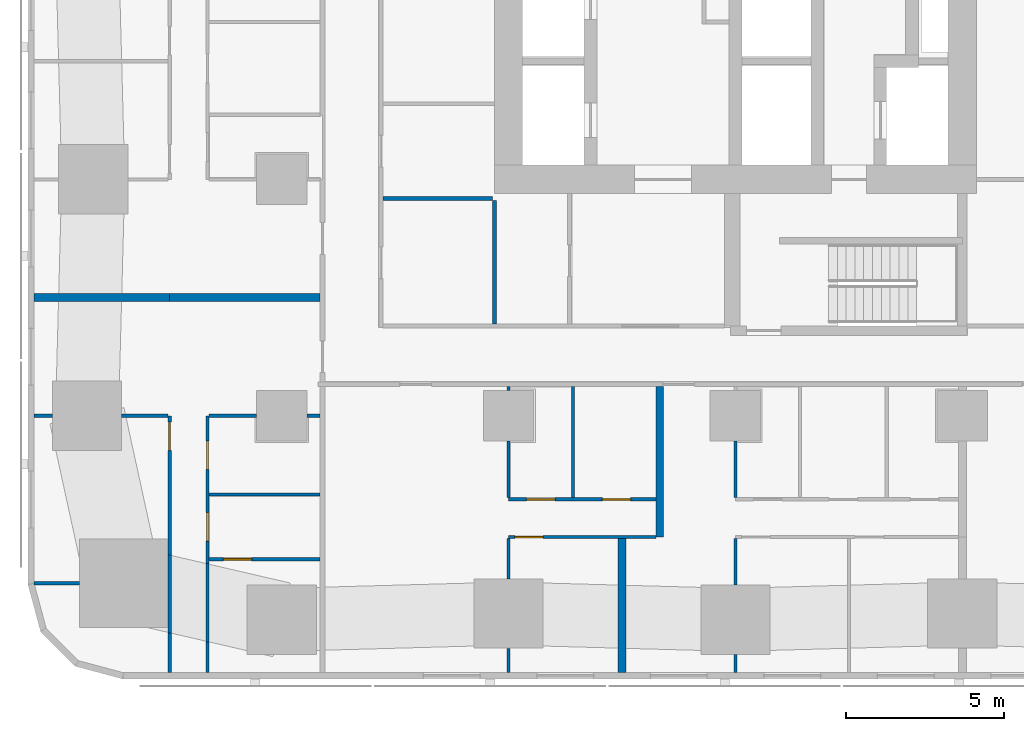
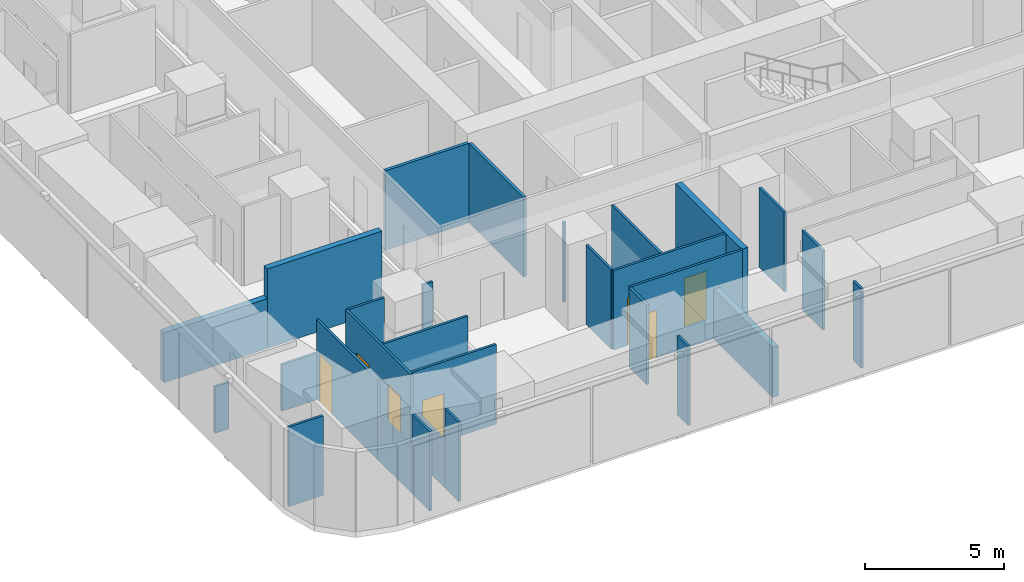
# One storey, part 2 of 17: 29 walls, 7 doors, 7 openings.
"""IFC4 building model written with IfcOpenShell, lengths in metres."""

from ifc_helpers import new_model, si_unit, direction, frame, frame_2d, origin, place, context, subcontext, project, spatial, rectangle, extrude, material, layer, layer_set, type_object, element, fill, save


model = new_model("IFC4")

# Units and contexts
model_context = context("Model", 3, precision=1e-05, world=origin(), true_north=direction((0.0, 1.0)))
body_context = subcontext(model_context, "Body", "Model", "MODEL_VIEW")
ifc_project = project(units=[si_unit("LENGTHUNIT", "METRE"), si_unit("AREAUNIT", "SQUARE_METRE"), si_unit("VOLUMEUNIT", "CUBIC_METRE"), si_unit("PLANEANGLEUNIT", "RADIAN"), si_unit("MASSUNIT", "GRAM", prefix="KILO")], contexts=[model_context])

# Site, building, storey
site_placement = place(None, origin())
site = spatial("IfcSite", under=ifc_project, at=site_placement, CompositionType="ELEMENT")
building_placement = place(site_placement, origin())
building = spatial("IfcBuilding", under=site, at=building_placement, Name="Sheger Commons Tower", CompositionType="ELEMENT")
storey_placement = place(building_placement, frame((0.0, 0.0, 115.39990234375)))
storey = spatial("IfcBuildingStorey", under=building, at=storey_placement, Name="L29", CompositionType="ELEMENT", Elevation=115.39990234375)

# Walls
ifc_material_1 = material(Name="Dense concrete block masonry, plastered both sides (separating wall between flats)", Category="masonry")
ifc_layer_1 = layer(ifc_material_1, 0.25)
ifc_layer_set_1 = layer_set([ifc_layer_1], Name="DEMISING WALL 250")
wall_type_1 = type_object("IfcWallType", Name="DEMISING WALL 250", PredefinedType="SOLIDWALL", material=ifc_layer_set_1)
wall_1_placement = place(storey_placement, frame((-0.64990234375, 11.25, 0.0), z_axis=(0.0, 0.0, 1.0), x_axis=(1.0, 0.0, 0.0)))
element("IfcWall", 1, at=wall_1_placement, inside=storey, type_object=wall_type_1, Name="Demising wall L29", PredefinedType="SOLIDWALL", context=body_context, shape_type="SweptSolid", body=[
    extrude(rectangle(XDim=4.2998046875, YDim=0.25, at=frame_2d((2.14990234375, 0.0))), origin(), (0.0, 0.0, 1.0), 2.2001953125),
])
wall_2_placement = place(storey_placement, frame((3.64990234375, 11.25, 0.0), z_axis=(0.0, 0.0, 1.0), x_axis=(1.0, 0.0, 0.0)))
element("IfcWall", 2, at=wall_2_placement, inside=storey, type_object=wall_type_1, Name="Demising wall L29", PredefinedType="SOLIDWALL", context=body_context, shape_type="SweptSolid", body=[
    extrude(rectangle(XDim=4.775146484375, YDim=0.25, at=frame_2d((2.3876953125, 0.0))), origin(), (0.0, 0.0, 1.0), 3.5),
])
wall_3_placement = place(storey_placement, frame((18.0, -0.64990234375, 0.0), z_axis=(0.0, 0.0, 1.0), x_axis=(0.0, 1.0, 0.0)))
element("IfcWall", 3, at=wall_3_placement, inside=storey, type_object=wall_type_1, Name="Demising wall L29", PredefinedType="SOLIDWALL", context=body_context, shape_type="SweptSolid", body=[
    extrude(rectangle(XDim=4.25, YDim=0.25, at=frame_2d((2.125, 0.0))), origin(), (0.0, 0.0, 1.0), 2.2001953125),
])
wall_4_placement = place(storey_placement, frame((19.198974609375, 3.64990234375, 0.0), z_axis=(0.0, 0.0, 1.0), x_axis=(0.0, 1.0, 0.0)))
element("IfcWall", 4, at=wall_4_placement, inside=storey, type_object=wall_type_1, Name="Demising wall L29", PredefinedType="SOLIDWALL", context=body_context, shape_type="SweptSolid", body=[
    extrude(rectangle(XDim=4.775146484375, YDim=0.25, at=frame_2d((2.3876953125, 0.0))), origin(), (0.0, 0.0, 1.0), 3.5),
])
ifc_material_2 = material(Name="Gypsum board on steel studs", Category="steel")
ifc_layer_2 = layer(ifc_material_2, 0.10009765625)
ifc_layer_set_2 = layer_set([ifc_layer_2], Name="PARTITION 100")
wall_type_2 = type_object("IfcWallType", Name="PARTITION 100", PredefinedType="PARTITIONING", material=ifc_layer_set_2)
wall_5_placement = place(storey_placement, frame((3.64990234375, -0.64990234375, 0.0), z_axis=(0.0, 0.0, 1.0), x_axis=(0.0, 1.0, 0.0)))
element("IfcWall", 5, at=wall_5_placement, inside=storey, type_object=wall_type_2, Name="Partition L29", PredefinedType="PARTITIONING", context=body_context, shape_type="SweptSolid", body=[
    extrude(rectangle(XDim=1.25390625, YDim=0.10009765625, at=frame_2d((0.626953125, 0.0))), origin(), (0.0, 0.0, 1.0), 3.5),
])
wall_6_placement = place(storey_placement, frame((3.64990234375, 0.60400390625, 0.0), z_axis=(0.0, 0.0, 1.0), x_axis=(0.0, 1.0, 0.0)))
element("IfcWall", 6, at=wall_6_placement, inside=storey, type_object=wall_type_2, Name="Partition L29", PredefinedType="PARTITIONING", context=body_context, shape_type="SweptSolid", body=[
    extrude(rectangle(XDim=2.486083984375, YDim=0.10009765625, at=frame_2d((1.2431640625, 0.0))), origin(), (0.0, 0.0, 1.0), 2.050048828125),
])

# Wall, opening, door
wall_7_placement = place(storey_placement, frame((3.64990234375, 3.090087890625, 0.0), z_axis=(0.0, 0.0, 1.0), x_axis=(0.0, 1.0, 0.0)))
wall_7 = element("IfcWall", 7, at=wall_7_placement, inside=storey, type_object=wall_type_2, Name="Partition L29", PredefinedType="PARTITIONING", context=body_context, shape_type="SweptSolid", body=[
    extrude(rectangle(XDim=4.409912109375, YDim=0.10009765625, at=frame_2d((2.205078125, 0.0))), origin(), (0.0, 0.0, 1.0), 3.5),
])
opening_1_placement = place(wall_7_placement, frame((3.31005859375, 0.0, 0.0)))
opening_1 = element("IfcOpeningElement", 8, at=opening_1_placement, cuts=wall_7, Name="Opening D2", PredefinedType="OPENING", context=body_context, shape_type="SweptSolid", body=[
    extrude(rectangle(XDim=0.89990234375, YDim=2.10009765625, at=frame_2d((0.449951171875, 1.050048828125))), frame((0.0, 0.06005859375, 0.0), z_axis=(0.0, -1.0, 0.0), x_axis=(1.0, 0.0, 0.0)), (0.0, 0.0, 1.0), 0.1201171875),
])
ifc_material_3 = material(Name="Timber door set", Category="wood")
door_type = type_object("IfcDoorType", Name="INTERNAL DOOR 900x2100", OperationType="NOTDEFINED", PredefinedType="DOOR", material=ifc_material_3)
door_1_placement = place(opening_1_placement, origin())
door_1 = element("IfcDoor", 9, at=door_1_placement, inside=storey, type_object=door_type, Name="Main bedroom door", OperationType="SINGLE_SWING_RIGHT", OverallHeight=2.10009765625, OverallWidth=0.89990234375, PredefinedType="DOOR", context=body_context, shape_type="SweptSolid", body=[
    extrude(rectangle(XDim=0.89990234375, YDim=2.10009765625, at=frame_2d((0.449951171875, 1.050048828125))), frame((0.0, 0.02490234375, 0.0), z_axis=(0.0, -1.0, 0.0), x_axis=(1.0, 0.0, 0.0)), (0.0, 0.0, 1.0), 0.050048828125),
])
fill(opening_1, door_1)

# Walls
wall_8_placement = place(storey_placement, frame((4.85009765625, -0.64990234375, 0.0), z_axis=(0.0, 0.0, 1.0), x_axis=(0.0, 1.0, 0.0)))
element("IfcWall", 10, at=wall_8_placement, inside=storey, type_object=wall_type_2, Name="Partition L29", PredefinedType="PARTITIONING", context=body_context, shape_type="SweptSolid", body=[
    extrude(rectangle(XDim=0.975830078125, YDim=0.10009765625, at=frame_2d((0.48779296875, 0.0))), origin(), (0.0, 0.0, 1.0), 3.5),
])
wall_9_placement = place(storey_placement, frame((4.85009765625, 0.325927734375, 0.0), z_axis=(0.0, 0.0, 1.0), x_axis=(0.0, 1.0, 0.0)))
element("IfcWall", 11, at=wall_9_placement, inside=storey, type_object=wall_type_2, Name="Partition L29", PredefinedType="PARTITIONING", context=body_context, shape_type="SweptSolid", body=[
    extrude(rectangle(XDim=2.486083984375, YDim=0.10009765625, at=frame_2d((1.2431640625, 0.0))), origin(), (0.0, 0.0, 1.0), 2.050048828125),
])

# Wall, openings, doors
wall_10_placement = place(storey_placement, frame((4.85009765625, 2.81201171875, 0.0), z_axis=(0.0, 0.0, 1.0), x_axis=(0.0, 1.0, 0.0)))
wall_10 = element("IfcWall", 12, at=wall_10_placement, inside=storey, type_object=wall_type_2, Name="Partition L29", PredefinedType="PARTITIONING", context=body_context, shape_type="SweptSolid", body=[
    extrude(rectangle(XDim=4.68798828125, YDim=0.10009765625, at=frame_2d((2.343994140625, 0.0))), origin(), (0.0, 0.0, 1.0), 3.5),
])
opening_2_placement = place(wall_10_placement, frame((2.987060546875, 0.0, 0.0)))
opening_2 = element("IfcOpeningElement", 13, at=opening_2_placement, cuts=wall_10, Name="Opening D2", PredefinedType="OPENING", context=body_context, shape_type="SweptSolid", body=[
    extrude(rectangle(XDim=0.89990234375, YDim=2.10009765625, at=frame_2d((0.449951171875, 1.050048828125))), frame((0.0, 0.06005859375, 0.0), z_axis=(0.0, -1.0, 0.0), x_axis=(1.0, 0.0, 0.0)), (0.0, 0.0, 1.0), 0.1201171875),
])
opening_3_placement = place(wall_10_placement, frame((0.7119140625, 0.0, 0.0)))
opening_3 = element("IfcOpeningElement", 14, at=opening_3_placement, cuts=wall_10, Name="Opening D2", PredefinedType="OPENING", context=body_context, shape_type="SweptSolid", body=[
    extrude(rectangle(XDim=0.89990234375, YDim=2.10009765625, at=frame_2d((0.449951171875, 1.050048828125))), frame((0.0, 0.06005859375, 0.0), z_axis=(0.0, -1.0, 0.0), x_axis=(1.0, 0.0, 0.0)), (0.0, 0.0, 1.0), 0.1201171875),
])
door_2_placement = place(opening_2_placement, origin())
door_2 = element("IfcDoor", 15, at=door_2_placement, inside=storey, type_object=door_type, Name="Store and laundry door", OperationType="SINGLE_SWING_LEFT", OverallHeight=2.10009765625, OverallWidth=0.89990234375, PredefinedType="DOOR", context=body_context, shape_type="SweptSolid", body=[
    extrude(rectangle(XDim=0.89990234375, YDim=2.10009765625, at=frame_2d((0.449951171875, 1.050048828125))), frame((0.0, 0.02490234375, 0.0), z_axis=(0.0, -1.0, 0.0), x_axis=(1.0, 0.0, 0.0)), (0.0, 0.0, 1.0), 0.050048828125),
])
fill(opening_2, door_2)
door_3_placement = place(opening_3_placement, origin())
door_3 = element("IfcDoor", 16, at=door_3_placement, inside=storey, type_object=door_type, Name="Bathroom door", OperationType="SINGLE_SWING_RIGHT", OverallHeight=2.10009765625, OverallWidth=0.89990234375, PredefinedType="DOOR", context=body_context, shape_type="SweptSolid", body=[
    extrude(rectangle(XDim=0.89990234375, YDim=2.10009765625, at=frame_2d((0.449951171875, 1.050048828125))), frame((0.0, 0.02490234375, 0.0), z_axis=(0.0, -1.0, 0.0), x_axis=(1.0, 0.0, 0.0)), (0.0, 0.0, 1.0), 0.050048828125),
])
fill(opening_3, door_3)

# Walls
wall_11_placement = place(storey_placement, frame((-0.64990234375, 2.18603515625, 0.0), z_axis=(0.0, 0.0, 1.0), x_axis=(1.0, 0.0, 0.0)))
element("IfcWall", 17, at=wall_11_placement, inside=storey, type_object=wall_type_2, Name="Partition L29", PredefinedType="PARTITIONING", context=body_context, shape_type="SweptSolid", body=[
    extrude(rectangle(XDim=1.434814453125, YDim=0.10009765625, at=frame_2d((0.71728515625, 0.0))), origin(), (0.0, 0.0, 1.0), 3.5),
])
wall_12_placement = place(storey_placement, frame((-0.64990234375, 7.5, 0.0), z_axis=(0.0, 0.0, 1.0), x_axis=(1.0, 0.0, 0.0)))
element("IfcWall", 18, at=wall_12_placement, inside=storey, type_object=wall_type_2, Name="Partition L29", PredefinedType="PARTITIONING", context=body_context, shape_type="SweptSolid", body=[
    extrude(rectangle(XDim=0.573974609375, YDim=0.10009765625, at=frame_2d((0.287109375, 0.0))), origin(), (0.0, 0.0, 1.0), 2.050048828125),
])
wall_13_placement = place(storey_placement, frame((2.1259765625, 7.5, 0.0), z_axis=(0.0, 0.0, 1.0), x_axis=(1.0, 0.0, 0.0)))
element("IfcWall", 19, at=wall_13_placement, inside=storey, type_object=wall_type_2, Name="Partition L29", PredefinedType="PARTITIONING", context=body_context, shape_type="SweptSolid", body=[
    extrude(rectangle(XDim=1.47412109375, YDim=0.10009765625, at=frame_2d((0.737060546875, 0.0))), origin(), (0.0, 0.0, 1.0), 2.050048828125),
])
wall_14_placement = place(storey_placement, frame((4.89990234375, 4.9990234375, 0.0), z_axis=(0.0, 0.0, 1.0), x_axis=(1.0, 0.0, 0.0)))
element("IfcWall", 20, at=wall_14_placement, inside=storey, type_object=wall_type_2, Name="Partition L29", PredefinedType="PARTITIONING", context=body_context, shape_type="SweptSolid", body=[
    extrude(rectangle(XDim=3.525146484375, YDim=0.10009765625, at=frame_2d((1.7626953125, 0.0))), origin(), (0.0, 0.0, 1.0), 3.5),
])
wall_15_placement = place(storey_placement, frame((4.89990234375, 7.5, 0.0), z_axis=(0.0, 0.0, 1.0), x_axis=(1.0, 0.0, 0.0)))
element("IfcWall", 21, at=wall_15_placement, inside=storey, type_object=wall_type_2, Name="Partition L29", PredefinedType="PARTITIONING", context=body_context, shape_type="SweptSolid", body=[
    extrude(rectangle(XDim=1.4990234375, YDim=0.10009765625, at=frame_2d((0.74951171875, 0.0))), origin(), (0.0, 0.0, 1.0), 3.5),
])
wall_16_placement = place(storey_placement, frame((8.0009765625, 7.5, 0.0), z_axis=(0.0, 0.0, 1.0), x_axis=(1.0, 0.0, 0.0)))
element("IfcWall", 22, at=wall_16_placement, inside=storey, type_object=wall_type_2, Name="Partition L29", PredefinedType="PARTITIONING", context=body_context, shape_type="SweptSolid", body=[
    extrude(rectangle(XDim=0.424072265625, YDim=0.10009765625, at=frame_2d((0.2119140625, 0.0))), origin(), (0.0, 0.0, 1.0), 3.5),
])

# Wall, opening, door
wall_17_placement = place(storey_placement, frame((4.89990234375, 2.948974609375, 0.0), z_axis=(0.0, 0.0, 1.0), x_axis=(1.0, 0.0, 0.0)))
wall_17 = element("IfcWall", 23, at=wall_17_placement, inside=storey, type_object=wall_type_2, Name="Partition L29", PredefinedType="PARTITIONING", context=body_context, shape_type="SweptSolid", body=[
    extrude(rectangle(XDim=3.525146484375, YDim=0.10009765625, at=frame_2d((1.7626953125, 0.0))), origin(), (0.0, 0.0, 1.0), 3.5),
])
opening_4_placement = place(wall_17_placement, frame((0.449951171875, 0.0, 0.0)))
opening_4 = element("IfcOpeningElement", 24, at=opening_4_placement, cuts=wall_17, Name="Opening D2", PredefinedType="OPENING", context=body_context, shape_type="SweptSolid", body=[
    extrude(rectangle(XDim=0.89990234375, YDim=2.10009765625, at=frame_2d((0.449951171875, 1.050048828125))), frame((0.0, 0.06005859375, 0.0), z_axis=(0.0, -1.0, 0.0), x_axis=(1.0, 0.0, 0.0)), (0.0, 0.0, 1.0), 0.1201171875),
])
door_4_placement = place(opening_4_placement, origin())
door_4 = element("IfcDoor", 25, at=door_4_placement, inside=storey, type_object=door_type, Name="Linen store door", OperationType="SINGLE_SWING_LEFT", OverallHeight=2.10009765625, OverallWidth=0.89990234375, PredefinedType="DOOR", context=body_context, shape_type="SweptSolid", body=[
    extrude(rectangle(XDim=0.89990234375, YDim=2.10009765625, at=frame_2d((0.449951171875, 1.050048828125))), frame((0.0, 0.02490234375, 0.0), z_axis=(0.0, -1.0, 0.0), x_axis=(1.0, 0.0, 0.0)), (0.0, 0.0, 1.0), 0.050048828125),
])
fill(opening_4, door_4)

wall_18_placement = place(storey_placement, frame((19.073974609375, 3.64990234375, 0.0), z_axis=(0.0, 0.0, 1.0), x_axis=(-1.0, 0.0, 0.0)))
wall_18 = element("IfcWall", 26, at=wall_18_placement, inside=storey, type_object=wall_type_2, Name="Partition L29", PredefinedType="PARTITIONING", context=body_context, shape_type="SweptSolid", body=[
    extrude(rectangle(XDim=4.674072265625, YDim=0.10009765625, at=frame_2d((2.3369140625, 0.0))), origin(), (0.0, 0.0, 1.0), 3.5),
])
opening_5_placement = place(wall_18_placement, frame((3.573974609375, 0.0, 0.0)))
opening_5 = element("IfcOpeningElement", 27, at=opening_5_placement, cuts=wall_18, Name="Opening D2", PredefinedType="OPENING", context=body_context, shape_type="SweptSolid", body=[
    extrude(rectangle(XDim=0.89990234375, YDim=2.10009765625, at=frame_2d((0.449951171875, 1.050048828125))), frame((0.0, 0.06005859375, 0.0), z_axis=(0.0, -1.0, 0.0), x_axis=(1.0, 0.0, 0.0)), (0.0, 0.0, 1.0), 0.1201171875),
])
door_5_placement = place(opening_5_placement, origin())
door_5 = element("IfcDoor", 28, at=door_5_placement, inside=storey, type_object=door_type, Name="Main bedroom door", OperationType="SINGLE_SWING_RIGHT", OverallHeight=2.10009765625, OverallWidth=0.89990234375, PredefinedType="DOOR", context=body_context, shape_type="SweptSolid", body=[
    extrude(rectangle(XDim=0.89990234375, YDim=2.10009765625, at=frame_2d((0.449951171875, 1.050048828125))), frame((0.0, 0.02490234375, 0.0), z_axis=(0.0, -1.0, 0.0), x_axis=(1.0, 0.0, 0.0)), (0.0, 0.0, 1.0), 0.050048828125),
])
fill(opening_5, door_5)

# Wall, openings, doors
wall_19_placement = place(storey_placement, frame((19.073974609375, 4.85009765625, 0.0), z_axis=(0.0, 0.0, 1.0), x_axis=(-1.0, 0.0, 0.0)))
wall_19 = element("IfcWall", 29, at=wall_19_placement, inside=storey, type_object=wall_type_2, Name="Partition L29", PredefinedType="PARTITIONING", context=body_context, shape_type="SweptSolid", body=[
    extrude(rectangle(XDim=4.674072265625, YDim=0.10009765625, at=frame_2d((2.3369140625, 0.0))), origin(), (0.0, 0.0, 1.0), 3.5),
])
opening_6_placement = place(wall_19_placement, frame((3.198974609375, 0.0, 0.0)))
opening_6 = element("IfcOpeningElement", 30, at=opening_6_placement, cuts=wall_19, Name="Opening D2", PredefinedType="OPENING", context=body_context, shape_type="SweptSolid", body=[
    extrude(rectangle(XDim=0.89990234375, YDim=2.10009765625, at=frame_2d((0.449951171875, 1.050048828125))), frame((0.0, 0.06005859375, 0.0), z_axis=(0.0, -1.0, 0.0), x_axis=(1.0, 0.0, 0.0)), (0.0, 0.0, 1.0), 0.1201171875),
])
opening_7_placement = place(wall_19_placement, frame((0.799072265625, 0.0, 0.0)))
opening_7 = element("IfcOpeningElement", 31, at=opening_7_placement, cuts=wall_19, Name="Opening D2", PredefinedType="OPENING", context=body_context, shape_type="SweptSolid", body=[
    extrude(rectangle(XDim=0.89990234375, YDim=2.10009765625, at=frame_2d((0.449951171875, 1.050048828125))), frame((0.0, 0.06005859375, 0.0), z_axis=(0.0, -1.0, 0.0), x_axis=(1.0, 0.0, 0.0)), (0.0, 0.0, 1.0), 0.1201171875),
])
door_6_placement = place(opening_6_placement, origin())
door_6 = element("IfcDoor", 32, at=door_6_placement, inside=storey, type_object=door_type, Name="Bathroom door", OperationType="SINGLE_SWING_LEFT", OverallHeight=2.10009765625, OverallWidth=0.89990234375, PredefinedType="DOOR", context=body_context, shape_type="SweptSolid", body=[
    extrude(rectangle(XDim=0.89990234375, YDim=2.10009765625, at=frame_2d((0.449951171875, 1.050048828125))), frame((0.0, 0.02490234375, 0.0), z_axis=(0.0, -1.0, 0.0), x_axis=(1.0, 0.0, 0.0)), (0.0, 0.0, 1.0), 0.050048828125),
])
fill(opening_6, door_6)
door_7_placement = place(opening_7_placement, origin())
door_7 = element("IfcDoor", 33, at=door_7_placement, inside=storey, type_object=door_type, Name="Store door", OperationType="SINGLE_SWING_RIGHT", OverallHeight=2.10009765625, OverallWidth=0.89990234375, PredefinedType="DOOR", context=body_context, shape_type="SweptSolid", body=[
    extrude(rectangle(XDim=0.89990234375, YDim=2.10009765625, at=frame_2d((0.449951171875, 1.050048828125))), frame((0.0, 0.02490234375, 0.0), z_axis=(0.0, -1.0, 0.0), x_axis=(1.0, 0.0, 0.0)), (0.0, 0.0, 1.0), 0.050048828125),
])
fill(opening_7, door_7)

# Walls
wall_20_placement = place(storey_placement, frame((14.39990234375, -0.64990234375, 0.0), z_axis=(0.0, 0.0, 1.0), x_axis=(0.0, 1.0, 0.0)))
element("IfcWall", 34, at=wall_20_placement, inside=storey, type_object=wall_type_2, Name="Partition L29", PredefinedType="PARTITIONING", context=body_context, shape_type="SweptSolid", body=[
    extrude(rectangle(XDim=0.77392578125, YDim=0.10009765625, at=frame_2d((0.386962890625, 0.0))), origin(), (0.0, 0.0, 1.0), 3.5),
])
wall_21_placement = place(storey_placement, frame((14.39990234375, 2.325927734375, 0.0), z_axis=(0.0, 0.0, 1.0), x_axis=(0.0, 1.0, 0.0)))
element("IfcWall", 35, at=wall_21_placement, inside=storey, type_object=wall_type_2, Name="Partition L29", PredefinedType="PARTITIONING", context=body_context, shape_type="SweptSolid", body=[
    extrude(rectangle(XDim=1.274169921875, YDim=0.10009765625, at=frame_2d((0.63720703125, 0.0))), origin(), (0.0, 0.0, 1.0), 3.5),
])
wall_22_placement = place(storey_placement, frame((14.39990234375, 4.89990234375, 0.0), z_axis=(0.0, 0.0, 1.0), x_axis=(0.0, 1.0, 0.0)))
element("IfcWall", 36, at=wall_22_placement, inside=storey, type_object=wall_type_2, Name="Partition L29", PredefinedType="PARTITIONING", context=body_context, shape_type="SweptSolid", body=[
    extrude(rectangle(XDim=1.799072265625, YDim=0.10009765625, at=frame_2d((0.8994140625, 0.0))), origin(), (0.0, 0.0, 1.0), 3.5),
])
wall_23_placement = place(storey_placement, frame((14.39990234375, 8.301025390625, 0.0), z_axis=(0.0, 0.0, 1.0), x_axis=(0.0, 1.0, 0.0)))
element("IfcWall", 37, at=wall_23_placement, inside=storey, type_object=wall_type_2, Name="Partition L29", PredefinedType="PARTITIONING", context=body_context, shape_type="SweptSolid", body=[
    extrude(rectangle(XDim=0.1240234375, YDim=0.10009765625, at=frame_2d((0.06201171875, 0.0))), origin(), (0.0, 0.0, 1.0), 3.5),
])
wall_24_placement = place(storey_placement, frame((16.449951171875, 4.89990234375, 0.0), z_axis=(0.0, 0.0, 1.0), x_axis=(0.0, 1.0, 0.0)))
element("IfcWall", 38, at=wall_24_placement, inside=storey, type_object=wall_type_2, Name="Partition L29", PredefinedType="PARTITIONING", context=body_context, shape_type="SweptSolid", body=[
    extrude(rectangle(XDim=3.525146484375, YDim=0.10009765625, at=frame_2d((1.7626953125, 0.0))), origin(), (0.0, 0.0, 1.0), 3.5),
])
wall_25_placement = place(storey_placement, frame((21.60009765625, -0.64990234375, 0.0), z_axis=(0.0, 0.0, 1.0), x_axis=(0.0, 1.0, 0.0)))
element("IfcWall", 39, at=wall_25_placement, inside=storey, type_object=wall_type_2, Name="Partition L29", PredefinedType="PARTITIONING", context=body_context, shape_type="SweptSolid", body=[
    extrude(rectangle(XDim=0.573974609375, YDim=0.10009765625, at=frame_2d((0.287109375, 0.0))), origin(), (0.0, 0.0, 1.0), 3.5),
])
wall_26_placement = place(storey_placement, frame((21.60009765625, 2.1259765625, 0.0), z_axis=(0.0, 0.0, 1.0), x_axis=(0.0, 1.0, 0.0)))
element("IfcWall", 40, at=wall_26_placement, inside=storey, type_object=wall_type_2, Name="Partition L29", PredefinedType="PARTITIONING", context=body_context, shape_type="SweptSolid", body=[
    extrude(rectangle(XDim=1.47412109375, YDim=0.10009765625, at=frame_2d((0.737060546875, 0.0))), origin(), (0.0, 0.0, 1.0), 3.5),
])
wall_27_placement = place(storey_placement, frame((21.60009765625, 4.89990234375, 0.0), z_axis=(0.0, 0.0, 1.0), x_axis=(0.0, 1.0, 0.0)))
element("IfcWall", 41, at=wall_27_placement, inside=storey, type_object=wall_type_2, Name="Partition L29", PredefinedType="PARTITIONING", context=body_context, shape_type="SweptSolid", body=[
    extrude(rectangle(XDim=1.799072265625, YDim=0.10009765625, at=frame_2d((0.8994140625, 0.0))), origin(), (0.0, 0.0, 1.0), 3.5),
])
ifc_material_4 = material(Name="Gypsum board on steel studs, two layers each side, fire rated", Category="steel")
ifc_layer_3 = layer(ifc_material_4, 0.125)
ifc_layer_set_3 = layer_set([ifc_layer_3], Name="SERVICE WALL 125")
wall_type_3 = type_object("IfcWallType", Name="SERVICE WALL 125", PredefinedType="PARTITIONING", material=ifc_layer_set_3)
wall_28_placement = place(storey_placement, frame((10.4130859375, 14.39990234375, 0.0), z_axis=(0.0, 0.0, 1.0), x_axis=(1.0, 0.0, 0.0)))
element("IfcWall", 42, at=wall_28_placement, inside=storey, type_object=wall_type_3, Name="Service room wall L29", PredefinedType="PARTITIONING", context=body_context, shape_type="SweptSolid", body=[
    extrude(rectangle(XDim=3.474853515625, YDim=0.125, at=frame_2d((1.7373046875, 0.0))), origin(), (0.0, 0.0, 1.0), 3.5),
])
wall_29_placement = place(storey_placement, frame((13.949951171875, 10.4130859375, 0.0), z_axis=(0.0, 0.0, 1.0), x_axis=(0.0, 1.0, 0.0)))
element("IfcWall", 43, at=wall_29_placement, inside=storey, type_object=wall_type_3, Name="Service room wall L29", PredefinedType="PARTITIONING", context=body_context, shape_type="SweptSolid", body=[
    extrude(rectangle(XDim=3.9248046875, YDim=0.125, at=frame_2d((1.96240234375, 0.0))), origin(), (0.0, 0.0, 1.0), 3.5),
])

save(model, "model.ifc")
